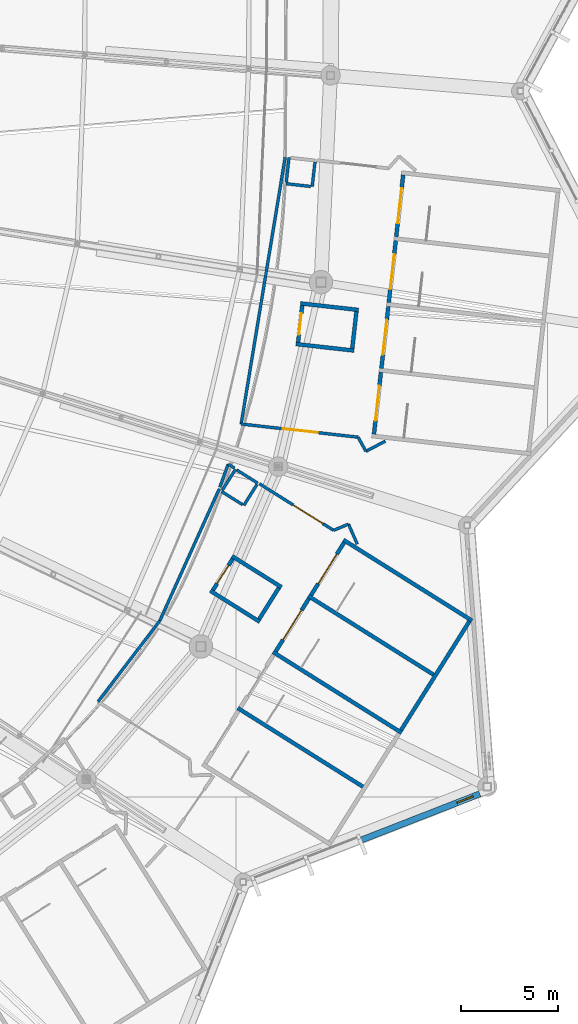
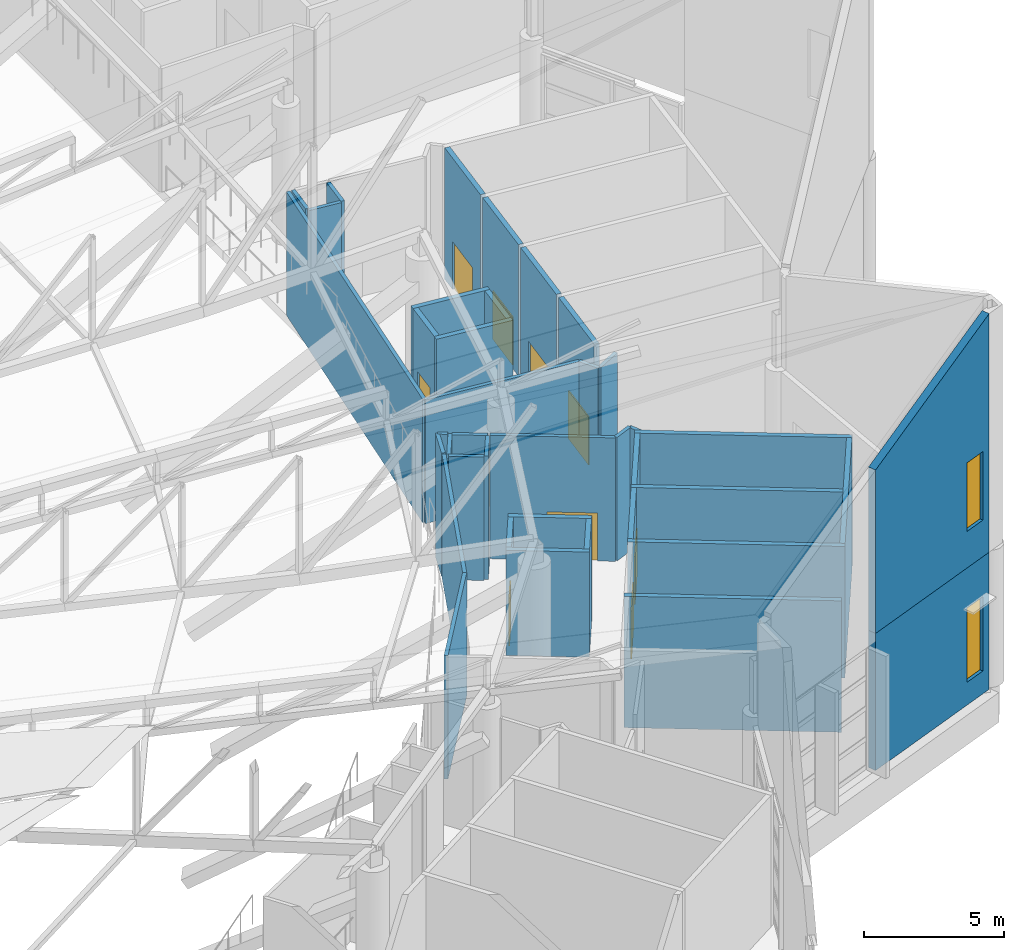
# One storey, part 256 of 344: 39 walls, 10 doors, 2 windows, 12 openings.
"""IFC4 building model written with IfcOpenShell, lengths in metres."""

from ifc_helpers import new_model, si_unit, direction, frame, frame_2d, origin, place, context, subcontext, project, spatial, polyline, rectangle, outline, extrude, material, layer, layer_set, type_object, element, fill, save


model = new_model("IFC4")

# Units and contexts
model_context = context("Model", 3, precision=1e-05, world=origin(), true_north=direction((0.0, 1.0)))
body_context = subcontext(model_context, "Body", "Model", "MODEL_VIEW")
ifc_project = project(units=[si_unit("LENGTHUNIT", "METRE"), si_unit("AREAUNIT", "SQUARE_METRE"), si_unit("VOLUMEUNIT", "CUBIC_METRE"), si_unit("PLANEANGLEUNIT", "RADIAN"), si_unit("MASSUNIT", "GRAM", prefix="KILO")], contexts=[model_context])

# Site, building, storey
site_placement = place(None, origin())
site = spatial("IfcSite", under=ifc_project, at=site_placement, CompositionType="ELEMENT")
building_placement = place(site_placement, origin())
building = spatial("IfcBuilding", under=site, at=building_placement, Name="Meseta Stadium", CompositionType="ELEMENT")
storey_placement = place(building_placement, frame((0.0, 0.0, 24.0)))
storey = spatial("IfcBuildingStorey", under=building, at=storey_placement, Name="L04", CompositionType="ELEMENT", Elevation=24.0)

# Walls
ifc_material_1 = material(Name="Concrete C40/50", Category="concrete")
ifc_layer_1 = layer(ifc_material_1, 0.199951171875)
ifc_layer_set_1 = layer_set([ifc_layer_1], Name="Core divider wall 200")
wall_type_1 = type_object("IfcWallType", Name="Core divider wall 200", PredefinedType="SHEAR", material=ifc_layer_set_1)
wall_1_placement = place(storey_placement, frame((86.696533203125, -79.5869140625, 0.0), z_axis=(0.0, 0.0, 1.0), x_axis=(-0.846713903605, 0.532048461553, 0.0)))
element("IfcWall", 1, at=wall_1_placement, inside=storey, type_object=wall_type_1, Name="Core 28 L04 stair A divider wall", PredefinedType="SHEAR", context=body_context, shape_type="SweptSolid", body=[
    extrude(rectangle(XDim=7.7998046875, YDim=0.199951171875, at=frame_2d((3.89990234375, 0.0))), origin(), (0.0, 0.0, 1.0), 5.75),
])
wall_2_placement = place(storey_placement, frame((90.314453125, -73.8291015625, 0.0), z_axis=(0.0, 0.0, 1.0), x_axis=(-0.846722763703, 0.532034361135, 0.0)))
element("IfcWall", 2, at=wall_2_placement, inside=storey, type_object=wall_type_1, Name="Core 28 L04 stair B divider wall", PredefinedType="SHEAR", context=body_context, shape_type="SweptSolid", body=[
    extrude(rectangle(XDim=7.800048828125, YDim=0.199951171875, at=frame_2d((3.89990234375, 0.0))), origin(), (0.0, 0.0, 1.0), 5.75),
])

# Wall, opening, door
ifc_material_2 = material(Name="Concrete C40/50", Category="concrete")
ifc_layer_2 = layer(ifc_material_2, 0.199951171875)
ifc_layer_set_2 = layer_set([ifc_layer_2], Name="Core shaft wall 200")
wall_type_2 = type_object("IfcWallType", Name="Core shaft wall 200", PredefinedType="SHEAR", material=ifc_layer_set_2)
wall_3_placement = place(storey_placement, frame((87.085205078125, -61.37158203125, 0.0), z_axis=(0.0, 0.0, 1.0), x_axis=(0.11192190762, 0.993717005286, 0.0)))
wall_3 = element("IfcWall", 3, at=wall_3_placement, inside=storey, type_object=wall_type_2, Name="Core 01 L04 stair A1 inner end wall", PredefinedType="SHEAR", context=body_context, shape_type="SweptSolid", body=[
    extrude(rectangle(XDim=3.199951171875, YDim=0.199951171875, at=frame_2d((1.60009765625, 0.0))), origin(), (0.0, 0.0, 1.0), 5.75),
])
opening_1_placement = place(wall_3_placement, frame((0.699951171875, 0.0, 0.0)))
opening_1 = element("IfcOpeningElement", 4, at=opening_1_placement, cuts=wall_3, Name="Opening D1653", PredefinedType="OPENING", context=body_context, shape_type="SweptSolid", body=[
    extrude(rectangle(XDim=1.800048828125, YDim=2.10009765625, at=frame_2d((0.89990234375, 1.050048828125))), frame((0.0, 0.10986328125, 0.0), z_axis=(0.0, -1.0, 0.0), x_axis=(1.0, 0.0, 0.0)), (0.0, 0.0, 1.0), 0.219970703125),
])
ifc_material_3 = material(Name="Steel", Category="steel")
door_type_1 = type_object("IfcDoorType", Name="Stair door 1800x2100", OperationType="DOUBLE_DOOR_SINGLE_SWING", PredefinedType="DOOR", material=ifc_material_3)
door_1_placement = place(opening_1_placement, origin())
door_1 = element("IfcDoor", 5, at=door_1_placement, inside=storey, type_object=door_type_1, Name="Stair A1 door 01 L04", OperationType="DOUBLE_DOOR_SINGLE_SWING", OverallHeight=2.10009765625, OverallWidth=1.800048828125, PredefinedType="DOOR", context=body_context, shape_type="SweptSolid", body=[
    extrude(rectangle(XDim=1.800048828125, YDim=2.10009765625, at=frame_2d((0.89990234375, 1.050048828125))), frame((0.0, 0.02490234375, 0.0), z_axis=(0.0, -1.0, 0.0), x_axis=(1.0, 0.0, 0.0)), (0.0, 0.0, 1.0), 0.050048828125),
])
fill(opening_1, door_1)

wall_4_placement = place(storey_placement, frame((87.4658203125, -57.992919921875, 0.0), z_axis=(0.0, 0.0, 1.0), x_axis=(0.111997244021, 0.993708517288, 0.0)))
wall_4 = element("IfcWall", 6, at=wall_4_placement, inside=storey, type_object=wall_type_2, Name="Core 01 L04 stair A2 inner end wall", PredefinedType="SHEAR", context=body_context, shape_type="SweptSolid", body=[
    extrude(rectangle(XDim=3.199951171875, YDim=0.199951171875, at=frame_2d((1.60009765625, 0.0))), origin(), (0.0, 0.0, 1.0), 5.75),
])
opening_2_placement = place(wall_4_placement, frame((0.699951171875, 0.0, 0.0)))
opening_2 = element("IfcOpeningElement", 7, at=opening_2_placement, cuts=wall_4, Name="Opening D1655", PredefinedType="OPENING", context=body_context, shape_type="SweptSolid", body=[
    extrude(rectangle(XDim=1.800048828125, YDim=2.10009765625, at=frame_2d((0.89990234375, 1.050048828125))), frame((0.0, 0.10986328125, 0.0), z_axis=(0.0, -1.0, 0.0), x_axis=(1.0, 0.0, 0.0)), (0.0, 0.0, 1.0), 0.219970703125),
])
door_2_placement = place(opening_2_placement, origin())
door_2 = element("IfcDoor", 8, at=door_2_placement, inside=storey, type_object=door_type_1, Name="Stair A2 door 01 L04", OperationType="DOUBLE_DOOR_SINGLE_SWING", OverallHeight=2.10009765625, OverallWidth=1.800048828125, PredefinedType="DOOR", context=body_context, shape_type="SweptSolid", body=[
    extrude(rectangle(XDim=1.800048828125, YDim=2.10009765625, at=frame_2d((0.89990234375, 1.050048828125))), frame((0.0, 0.02490234375, 0.0), z_axis=(0.0, -1.0, 0.0), x_axis=(1.0, 0.0, 0.0)), (0.0, 0.0, 1.0), 0.050048828125),
])
fill(opening_2, door_2)

wall_5_placement = place(storey_placement, frame((87.846435546875, -54.6142578125, 0.0), z_axis=(0.0, 0.0, 1.0), x_axis=(0.112005735442, 0.993707560215, 0.0)))
wall_5 = element("IfcWall", 9, at=wall_5_placement, inside=storey, type_object=wall_type_2, Name="Core 01 L04 stair B1 inner end wall", PredefinedType="SHEAR", context=body_context, shape_type="SweptSolid", body=[
    extrude(rectangle(XDim=3.19970703125, YDim=0.199951171875, at=frame_2d((1.599853515625, 0.0))), origin(), (0.0, 0.0, 1.0), 5.75),
])
opening_3_placement = place(wall_5_placement, frame((0.699951171875, 0.0, 0.0)))
opening_3 = element("IfcOpeningElement", 10, at=opening_3_placement, cuts=wall_5, Name="Opening D1657", PredefinedType="OPENING", context=body_context, shape_type="SweptSolid", body=[
    extrude(rectangle(XDim=1.800048828125, YDim=2.10009765625, at=frame_2d((0.89990234375, 1.050048828125))), frame((0.0, 0.10986328125, 0.0), z_axis=(0.0, -1.0, 0.0), x_axis=(1.0, 0.0, 0.0)), (0.0, 0.0, 1.0), 0.219970703125),
])
door_3_placement = place(opening_3_placement, origin())
door_3 = element("IfcDoor", 11, at=door_3_placement, inside=storey, type_object=door_type_1, Name="Stair B1 door 01 L04", OperationType="DOUBLE_DOOR_SINGLE_SWING", OverallHeight=2.10009765625, OverallWidth=1.800048828125, PredefinedType="DOOR", context=body_context, shape_type="SweptSolid", body=[
    extrude(rectangle(XDim=1.800048828125, YDim=2.10009765625, at=frame_2d((0.89990234375, 1.050048828125))), frame((0.0, 0.02490234375, 0.0), z_axis=(0.0, -1.0, 0.0), x_axis=(1.0, 0.0, 0.0)), (0.0, 0.0, 1.0), 0.050048828125),
])
fill(opening_3, door_3)

wall_6_placement = place(storey_placement, frame((88.227294921875, -51.235595703125, 0.0), z_axis=(0.0, 0.0, 1.0), x_axis=(0.111930393474, 0.993716049491, 0.0)))
wall_6 = element("IfcWall", 12, at=wall_6_placement, inside=storey, type_object=wall_type_2, Name="Core 01 L04 stair B2 inner end wall", PredefinedType="SHEAR", context=body_context, shape_type="SweptSolid", body=[
    extrude(rectangle(XDim=3.19970703125, YDim=0.199951171875, at=frame_2d((1.599853515625, 0.0))), origin(), (0.0, 0.0, 1.0), 5.75),
])
opening_4_placement = place(wall_6_placement, frame((0.699951171875, 0.0, 0.0)))
opening_4 = element("IfcOpeningElement", 13, at=opening_4_placement, cuts=wall_6, Name="Opening D1659", PredefinedType="OPENING", context=body_context, shape_type="SweptSolid", body=[
    extrude(rectangle(XDim=1.800048828125, YDim=2.10009765625, at=frame_2d((0.89990234375, 1.050048828125))), frame((0.0, 0.10986328125, 0.0), z_axis=(0.0, -1.0, 0.0), x_axis=(1.0, 0.0, 0.0)), (0.0, 0.0, 1.0), 0.219970703125),
])
door_4_placement = place(opening_4_placement, origin())
door_4 = element("IfcDoor", 14, at=door_4_placement, inside=storey, type_object=door_type_1, Name="Stair B2 door 01 L04", OperationType="DOUBLE_DOOR_SINGLE_SWING", OverallHeight=2.10009765625, OverallWidth=1.800048828125, PredefinedType="DOOR", context=body_context, shape_type="SweptSolid", body=[
    extrude(rectangle(XDim=1.800048828125, YDim=2.10009765625, at=frame_2d((0.89990234375, 1.050048828125))), frame((0.0, 0.02490234375, 0.0), z_axis=(0.0, -1.0, 0.0), x_axis=(1.0, 0.0, 0.0)), (0.0, 0.0, 1.0), 0.050048828125),
])
fill(opening_4, door_4)

# Walls
for number, where, z_axis, x_axis, name in (
    (15, (86.05908203125, -57.07958984375, 0.0), (0.0, 0.0, 1.0), (-0.993718878013, 0.111905279056, 0.0), "Core 01 L04 lift shaft wall left"),
    (16, (86.294189453125, -54.992919921875, 0.0), (0.0, 0.0, 1.0), (-0.993709824566, 0.111985644439, 0.0), "Core 01 L04 lift shaft wall right"),
):
    element("IfcWall", number, at=place(storey_placement, frame(where, z_axis=z_axis, x_axis=x_axis)), inside=storey, type_object=wall_type_2, Name=name, PredefinedType="SHEAR", context=body_context, shape_type="SweptSolid", body=[
        extrude(rectangle(XDim=2.999755859375, YDim=0.199951171875, at=frame_2d((1.5, 0.0))), origin(), (0.0, 0.0, 1.0), 4.60009765625),
    ])
wall_7_placement = place(storey_placement, frame((85.970947265625, -56.96923828125, 0.0), z_axis=(0.0, 0.0, 1.0), x_axis=(0.112039012324, 0.993703808847, 0.0)))
element("IfcWall", 17, at=wall_7_placement, inside=storey, type_object=wall_type_2, Name="Core 01 L04 lift shaft back wall", PredefinedType="SHEAR", context=body_context, shape_type="SweptSolid", body=[
    extrude(rectangle(XDim=1.900146484375, YDim=0.199951171875, at=frame_2d((0.9501953125, 0.0))), origin(), (0.0, 0.0, 1.0), 4.60009765625),
])

# Wall, opening, door
wall_8_placement = place(storey_placement, frame((83.188720703125, -56.65576171875, 0.0), z_axis=(0.0, 0.0, 1.0), x_axis=(0.11191213732, 0.993718105662, 0.0)))
wall_8 = element("IfcWall", 18, at=wall_8_placement, inside=storey, type_object=wall_type_2, Name="Core 01 L04 lift shaft front wall", PredefinedType="SHEAR", context=body_context, shape_type="SweptSolid", body=[
    extrude(rectangle(XDim=1.900146484375, YDim=0.199951171875, at=frame_2d((0.9501953125, 0.0))), origin(), (0.0, 0.0, 1.0), 4.60009765625),
])
opening_5_placement = place(wall_8_placement, frame((0.39990234375, 0.0, 0.0)))
opening_5 = element("IfcOpeningElement", 19, at=opening_5_placement, cuts=wall_8, Name="Opening LD6", PredefinedType="OPENING", context=body_context, shape_type="SweptSolid", body=[
    extrude(rectangle(XDim=1.10009765625, YDim=2.10009765625, at=frame_2d((0.550048828125, 1.050048828125))), frame((0.0, 0.10986328125, 0.0), z_axis=(0.0, -1.0, 0.0), x_axis=(1.0, 0.0, 0.0)), (0.0, 0.0, 1.0), 0.219970703125),
])
ifc_material_4 = material(Name="Steel", Category="steel")
door_type_2 = type_object("IfcDoorType", Name="Lift landing door 1100x2100", OperationType="SLIDING_TO_LEFT", PredefinedType="DOOR", material=ifc_material_4)
door_5_placement = place(opening_5_placement, origin())
door_5 = element("IfcDoor", 20, at=door_5_placement, inside=storey, type_object=door_type_2, Name="Lift landing door LD6", OperationType="SLIDING_TO_RIGHT", OverallHeight=2.10009765625, OverallWidth=1.10009765625, PredefinedType="DOOR", context=body_context, shape_type="SweptSolid", body=[
    extrude(rectangle(XDim=1.10009765625, YDim=2.10009765625, at=frame_2d((0.550048828125, 1.050048828125))), frame((0.0, 0.02490234375, 0.0), z_axis=(0.0, -1.0, 0.0), x_axis=(1.0, 0.0, 0.0)), (0.0, 0.0, 1.0), 0.050048828125),
])
fill(opening_5, door_5)

# Walls
for number, where, z_axis, x_axis, name in (
    (21, (88.505615234375, -76.7080078125, 0.0), (0.0, 0.0, 1.0), (-0.846722763703, 0.532034361135, 0.0), "Core 28 L04 stair wall shared"),
    (22, (92.123291015625, -70.9501953125, 0.0), (0.0, 0.0, 1.0), (-0.846722763703, 0.532034361135, 0.0), "Core 28 L04 stair wall B-side"),
):
    element("IfcWall", number, at=place(storey_placement, frame(where, z_axis=z_axis, x_axis=x_axis)), inside=storey, type_object=wall_type_2, Name=name, PredefinedType="SHEAR", context=body_context, shape_type="SweptSolid", body=[
        extrude(rectangle(XDim=7.800048828125, YDim=0.199951171875, at=frame_2d((3.89990234375, 0.0))), origin(), (0.0, 0.0, 1.0), 5.75),
    ])
wall_9_placement = place(storey_placement, frame((88.47412109375, -76.570068359375, 0.0), z_axis=(0.0, 0.0, 1.0), x_axis=(0.532038964807, 0.846719870989, 0.0)))
element("IfcWall", 23, at=wall_9_placement, inside=storey, type_object=wall_type_2, Name="Core 28 L04 stair B outer end wall", PredefinedType="SHEAR", context=body_context, shape_type="SweptSolid", body=[
    extrude(rectangle(XDim=6.60009765625, YDim=0.199951171875, at=frame_2d((3.300048828125, 0.0))), origin(), (0.0, 0.0, 1.0), 5.75),
])

# Wall, opening, door
wall_10_placement = place(storey_placement, frame((82.0390625, -72.526611328125, 0.0), z_axis=(0.0, 0.0, 1.0), x_axis=(0.532013720158, 0.846735733015, 0.0)))
wall_10 = element("IfcWall", 24, at=wall_10_placement, inside=storey, type_object=wall_type_2, Name="Core 28 L04 stair B1 inner end wall", PredefinedType="SHEAR", context=body_context, shape_type="SweptSolid", body=[
    extrude(rectangle(XDim=3.199951171875, YDim=0.199951171875, at=frame_2d((1.60009765625, 0.0))), origin(), (0.0, 0.0, 1.0), 5.75),
])
opening_6_placement = place(wall_10_placement, frame((0.699951171875, 0.0, 0.0)))
opening_6 = element("IfcOpeningElement", 25, at=opening_6_placement, cuts=wall_10, Name="Opening D1636", PredefinedType="OPENING", context=body_context, shape_type="SweptSolid", body=[
    extrude(rectangle(XDim=1.800048828125, YDim=2.10009765625, at=frame_2d((0.89990234375, 1.050048828125))), frame((0.0, 0.10986328125, 0.0), z_axis=(0.0, -1.0, 0.0), x_axis=(1.0, 0.0, 0.0)), (0.0, 0.0, 1.0), 0.219970703125),
])
door_6_placement = place(opening_6_placement, origin())
door_6 = element("IfcDoor", 26, at=door_6_placement, inside=storey, type_object=door_type_1, Name="Stair B1 door 28 L04", OperationType="DOUBLE_DOOR_SINGLE_SWING", OverallHeight=2.10009765625, OverallWidth=1.800048828125, PredefinedType="DOOR", context=body_context, shape_type="SweptSolid", body=[
    extrude(rectangle(XDim=1.800048828125, YDim=2.10009765625, at=frame_2d((0.89990234375, 1.050048828125))), frame((0.0, 0.02490234375, 0.0), z_axis=(0.0, -1.0, 0.0), x_axis=(1.0, 0.0, 0.0)), (0.0, 0.0, 1.0), 0.050048828125),
])
fill(opening_6, door_6)

wall_11_placement = place(storey_placement, frame((83.847900390625, -69.647705078125, 0.0), z_axis=(0.0, 0.0, 1.0), x_axis=(0.532013720158, 0.846735733015, 0.0)))
wall_11 = element("IfcWall", 27, at=wall_11_placement, inside=storey, type_object=wall_type_2, Name="Core 28 L04 stair B2 inner end wall", PredefinedType="SHEAR", context=body_context, shape_type="SweptSolid", body=[
    extrude(rectangle(XDim=3.199951171875, YDim=0.199951171875, at=frame_2d((1.60009765625, 0.0))), origin(), (0.0, 0.0, 1.0), 5.75),
])
opening_7_placement = place(wall_11_placement, frame((0.699951171875, 0.0, 0.0)))
opening_7 = element("IfcOpeningElement", 28, at=opening_7_placement, cuts=wall_11, Name="Opening D1640", PredefinedType="OPENING", context=body_context, shape_type="SweptSolid", body=[
    extrude(rectangle(XDim=1.800048828125, YDim=2.10009765625, at=frame_2d((0.89990234375, 1.050048828125))), frame((0.0, 0.10986328125, 0.0), z_axis=(0.0, -1.0, 0.0), x_axis=(1.0, 0.0, 0.0)), (0.0, 0.0, 1.0), 0.219970703125),
])
door_7_placement = place(opening_7_placement, origin())
door_7 = element("IfcDoor", 29, at=door_7_placement, inside=storey, type_object=door_type_1, Name="Stair B2 door 28 L04", OperationType="DOUBLE_DOOR_SINGLE_SWING", OverallHeight=2.10009765625, OverallWidth=1.800048828125, PredefinedType="DOOR", context=body_context, shape_type="SweptSolid", body=[
    extrude(rectangle(XDim=1.800048828125, YDim=2.10009765625, at=frame_2d((0.89990234375, 1.050048828125))), frame((0.0, 0.02490234375, 0.0), z_axis=(0.0, -1.0, 0.0), x_axis=(1.0, 0.0, 0.0)), (0.0, 0.0, 1.0), 0.050048828125),
])
fill(opening_7, door_7)

# Walls
for number, where, z_axis, x_axis, name in (
    (30, (81.22119140625, -71.0087890625, 0.0), (0.0, 0.0, 1.0), (-0.846757002027, 0.531979867588, 0.0), "Core 28 L04 lift shaft wall left"),
    (31, (82.33837890625, -69.230712890625, 0.0), (0.0, 0.0, 1.0), (-0.846757002027, 0.531979867588, 0.0), "Core 28 L04 lift shaft wall right"),
):
    element("IfcWall", number, at=place(storey_placement, frame(where, z_axis=z_axis, x_axis=x_axis)), inside=storey, type_object=wall_type_2, Name=name, PredefinedType="SHEAR", context=body_context, shape_type="SweptSolid", body=[
        extrude(rectangle(XDim=3.0, YDim=0.199951171875, at=frame_2d((1.5, 0.0))), origin(), (0.0, 0.0, 1.0), 4.60009765625),
    ])
wall_12_placement = place(storey_placement, frame((81.189697265625, -70.87109375, 0.0), z_axis=(0.0, 0.0, 1.0), x_axis=(0.531961007765, 0.846768850524, 0.0)))
element("IfcWall", 32, at=wall_12_placement, inside=storey, type_object=wall_type_2, Name="Core 28 L04 lift shaft back wall", PredefinedType="SHEAR", context=body_context, shape_type="SweptSolid", body=[
    extrude(rectangle(XDim=1.900146484375, YDim=0.199951171875, at=frame_2d((0.9501953125, 0.0))), origin(), (0.0, 0.0, 1.0), 4.60009765625),
])

# Wall, opening, door
wall_13_placement = place(storey_placement, frame((78.81884765625, -69.38134765625, 0.0), z_axis=(0.0, 0.0, 1.0), x_axis=(0.532018892235, 0.846732483318, 0.0)))
wall_13 = element("IfcWall", 33, at=wall_13_placement, inside=storey, type_object=wall_type_2, Name="Core 28 L04 lift shaft front wall", PredefinedType="SHEAR", context=body_context, shape_type="SweptSolid", body=[
    extrude(rectangle(XDim=1.89990234375, YDim=0.199951171875, at=frame_2d((0.949951171875, 0.0))), origin(), (0.0, 0.0, 1.0), 4.60009765625),
])
opening_8_placement = place(wall_13_placement, frame((0.39990234375, 0.0, 0.0)))
opening_8 = element("IfcOpeningElement", 34, at=opening_8_placement, cuts=wall_13, Name="Opening LD156", PredefinedType="OPENING", context=body_context, shape_type="SweptSolid", body=[
    extrude(rectangle(XDim=1.10009765625, YDim=2.10009765625, at=frame_2d((0.550048828125, 1.050048828125))), frame((0.0, 0.10986328125, 0.0), z_axis=(0.0, -1.0, 0.0), x_axis=(1.0, 0.0, 0.0)), (0.0, 0.0, 1.0), 0.219970703125),
])
door_8_placement = place(opening_8_placement, origin())
door_8 = element("IfcDoor", 35, at=door_8_placement, inside=storey, type_object=door_type_2, Name="Lift landing door LD156", OperationType="SLIDING_TO_RIGHT", OverallHeight=2.10009765625, OverallWidth=1.10009765625, PredefinedType="DOOR", context=body_context, shape_type="SweptSolid", body=[
    extrude(rectangle(XDim=1.10009765625, YDim=2.10009765625, at=frame_2d((0.550048828125, 1.050048828125))), frame((0.0, 0.02490234375, 0.0), z_axis=(0.0, -1.0, 0.0), x_axis=(1.0, 0.0, 0.0)), (0.0, 0.0, 1.0), 0.050048828125),
])
fill(opening_8, door_8)

# Walls
ifc_material_5 = material(Name="Masonry blockwork", Category="masonry")
ifc_layer_3 = layer(ifc_material_5, 0.14990234375)
ifc_layer_set_3 = layer_set([ifc_layer_3], Name="Partition 150")
wall_type_3 = type_object("IfcWallType", Name="Partition 150", PredefinedType="PARTITIONING", material=ifc_layer_set_3)
wall_14_placement = place(storey_placement, frame((83.913330078125, -48.66162109375, 0.0), z_axis=(0.0, 0.0, 1.0), x_axis=(0.111818407645, 0.993728656984, 0.0)))
element("IfcWall", 36, at=wall_14_placement, inside=storey, type_object=wall_type_3, Name="Pressurisation shaft wall L04 core 01", PredefinedType="PARTITIONING", context=body_context, shape_type="SweptSolid", body=[
    extrude(rectangle(XDim=1.275146484375, YDim=0.14990234375, at=frame_2d((0.6376953125, 0.0))), origin(), (0.0, 0.0, 1.0), 5.39990234375),
])
for number, where, z_axis, x_axis, name in (
    (37, (82.722900390625, -47.1689453125, 0.0), (0.0, 0.0, 1.0), (-0.112028792108, -0.993704961112, 0.0), "Pressurisation shaft wall L04 core 01"),
    (38, (82.57177734375, -48.510498046875, 0.0), (0.0, 0.0, 1.0), (0.993726262285, -0.111839687257, 0.0), "Pressurisation shaft wall L04 core 01"),
):
    element("IfcWall", number, at=place(storey_placement, frame(where, z_axis=z_axis, x_axis=x_axis)), inside=storey, type_object=wall_type_3, Name=name, PredefinedType="PARTITIONING", context=body_context, shape_type="SweptSolid", body=[
        extrude(rectangle(XDim=1.27490234375, YDim=0.14990234375, at=frame_2d((0.637451171875, 0.0))), origin(), (0.0, 0.0, 1.0), 5.39990234375),
    ])
wall_15_placement = place(storey_placement, frame((82.52490234375, -47.157958984375, 0.0), z_axis=(0.0, 0.0, 1.0), x_axis=(-0.162929544728, -0.986637706281, 0.0)))
element("IfcWall", 39, at=wall_15_placement, inside=storey, type_object=wall_type_3, Name="Stair vestibule wall L04 core 01", PredefinedType="PARTITIONING", context=body_context, shape_type="SweptSolid", body=[
    extrude(rectangle(XDim=13.877197265625, YDim=0.14990234375, at=frame_2d((6.9384765625, 0.0))), origin(), (0.0, 0.0, 1.0), 5.39990234375),
])

# Wall, opening, door
wall_16_placement = place(storey_placement, frame((80.263916015625, -60.849609375, 0.0), z_axis=(0.0, 0.0, 1.0), x_axis=(0.993711169243, -0.111973711744, 0.0)))
wall_16 = element("IfcWall", 40, at=wall_16_placement, inside=storey, type_object=wall_type_3, Name="Stair vestibule wall L04 core 01", PredefinedType="PARTITIONING", context=body_context, shape_type="SweptSolid", body=[
    extrude(rectangle(XDim=6.046142578125, YDim=0.14990234375, at=frame_2d((3.02294921875, 0.0))), origin(), (0.0, 0.0, 1.0), 5.39990234375),
])
opening_9_placement = place(wall_16_placement, frame((2.14990234375, 0.0, 0.0)))
opening_9 = element("IfcOpeningElement", 41, at=opening_9_placement, cuts=wall_16, Name="Opening D1637", PredefinedType="OPENING", context=body_context, shape_type="SweptSolid", body=[
    extrude(rectangle(XDim=1.800048828125, YDim=2.10009765625, at=frame_2d((0.89990234375, 1.050048828125))), frame((0.0, 0.0849609375, 0.0), z_axis=(0.0, -1.0, 0.0), x_axis=(1.0, 0.0, 0.0)), (0.0, 0.0, 1.0), 0.169921875),
])
ifc_material_6 = material(Name="Steel", Category="steel")
door_type_3 = type_object("IfcDoorType", Name="Fire double door 1800x2100 EI2 60", OperationType="DOUBLE_DOOR_SINGLE_SWING", PredefinedType="DOOR", material=ifc_material_6)
door_9_placement = place(opening_9_placement, origin())
door_9 = element("IfcDoor", 42, at=door_9_placement, inside=storey, type_object=door_type_3, Name="Stair vestibule door L04 core 01", OperationType="DOUBLE_DOOR_SINGLE_SWING", OverallHeight=2.10009765625, OverallWidth=1.800048828125, PredefinedType="DOOR", context=body_context, shape_type="SweptSolid", body=[
    extrude(rectangle(XDim=1.800048828125, YDim=2.10009765625, at=frame_2d((0.89990234375, 1.050048828125))), frame((0.0, 0.02490234375, 0.0), z_axis=(0.0, -1.0, 0.0), x_axis=(1.0, 0.0, 0.0)), (0.0, 0.0, 1.0), 0.050048828125),
])
fill(opening_9, door_9)

# Walls
wall_17_placement = place(storey_placement, frame((86.27197265625, -61.526611328125, 0.0), z_axis=(0.0, 0.0, 1.0), x_axis=(0.480336186773, -0.877084458691, 0.0)))
element("IfcWall", 43, at=wall_17_placement, inside=storey, type_object=wall_type_3, Name="Stair vestibule wall L04 core 01", PredefinedType="PARTITIONING", context=body_context, shape_type="SweptSolid", body=[
    extrude(rectangle(XDim=0.82958984375, YDim=0.14990234375, at=frame_2d((0.414794921875, 0.0))), origin(), (0.0, 0.0, 1.0), 5.39990234375),
])
wall_18_placement = place(storey_placement, frame((86.67041015625, -62.254150390625, 0.0), z_axis=(0.0, 0.0, 1.0), x_axis=(0.884880656279, 0.465817801446, 0.0)))
element("IfcWall", 44, at=wall_18_placement, inside=storey, type_object=wall_type_3, Name="Stair vestibule wall L04 core 01", PredefinedType="PARTITIONING", context=body_context, shape_type="SweptSolid", body=[
    extrude(rectangle(XDim=1.1279296875, YDim=0.14990234375, at=frame_2d((0.56396484375, 0.0))), origin(), (0.0, 0.0, 1.0), 5.39990234375),
])
for number, where, z_axis, x_axis, name in (
    (45, (80.400634765625, -65.03125, 0.0), (0.0, 0.0, 1.0), (0.532097038765, 0.846683377265, 0.0), "Pressurisation shaft wall L04 core 28"),
    (46, (81.118896484375, -63.88818359375, 0.0), (0.0, 0.0, 1.0), (-0.846683377265, 0.532097038765, 0.0), "Pressurisation shaft wall L04 core 28"),
):
    element("IfcWall", number, at=place(storey_placement, frame(where, z_axis=z_axis, x_axis=x_axis)), inside=storey, type_object=wall_type_3, Name=name, PredefinedType="PARTITIONING", context=body_context, shape_type="SweptSolid", body=[
        extrude(rectangle(XDim=1.275146484375, YDim=0.14990234375, at=frame_2d((0.6376953125, 0.0))), origin(), (0.0, 0.0, 1.0), 5.39990234375),
    ])
for number, where, z_axis, x_axis, name in (
    (47, (79.975830078125, -63.169921875, 0.0), (0.0, 0.0, 1.0), (-0.531959757672, -0.846769635862, 0.0), "Pressurisation shaft wall L04 core 28"),
    (48, (79.257568359375, -64.31298828125, 0.0), (0.0, 0.0, 1.0), (0.846769635862, -0.531959757672, 0.0), "Pressurisation shaft wall L04 core 28"),
):
    element("IfcWall", number, at=place(storey_placement, frame(where, z_axis=z_axis, x_axis=x_axis)), inside=storey, type_object=wall_type_3, Name=name, PredefinedType="PARTITIONING", context=body_context, shape_type="SweptSolid", body=[
        extrude(rectangle(XDim=1.27490234375, YDim=0.14990234375, at=frame_2d((0.637451171875, 0.0))), origin(), (0.0, 0.0, 1.0), 5.39990234375),
    ])
wall_19_placement = place(storey_placement, frame((86.229248046875, -67.02294921875, 0.0), z_axis=(0.0, 0.0, 1.0), x_axis=(-0.400989201001, 0.916082780474, 0.0)))
element("IfcWall", 49, at=wall_19_placement, inside=storey, type_object=wall_type_3, Name="Stair vestibule wall L04 core 28", PredefinedType="PARTITIONING", context=body_context, shape_type="SweptSolid", body=[
    extrude(rectangle(XDim=1.127685546875, YDim=0.14990234375, at=frame_2d((0.56396484375, 0.0))), origin(), (0.0, 0.0, 1.0), 5.39990234375),
])
wall_20_placement = place(storey_placement, frame((85.777099609375, -65.989990234375, 0.0), z_axis=(0.0, 0.0, 1.0), x_axis=(-0.922623662396, -0.385701409885, 0.0)))
element("IfcWall", 50, at=wall_20_placement, inside=storey, type_object=wall_type_3, Name="Stair vestibule wall L04 core 28", PredefinedType="PARTITIONING", context=body_context, shape_type="SweptSolid", body=[
    extrude(rectangle(XDim=0.829833984375, YDim=0.14990234375, at=frame_2d((0.4150390625, 0.0))), origin(), (0.0, 0.0, 1.0), 5.39990234375),
])

# Wall, opening, door
wall_21_placement = place(storey_placement, frame((85.011474609375, -66.31005859375, 0.0), z_axis=(0.0, 0.0, 1.0), x_axis=(-0.846716787841, 0.532043871489, 0.0)))
wall_21 = element("IfcWall", 51, at=wall_21_placement, inside=storey, type_object=wall_type_3, Name="Stair vestibule wall L04 core 28", PredefinedType="PARTITIONING", context=body_context, shape_type="SweptSolid", body=[
    extrude(rectangle(XDim=4.50390625, YDim=0.14990234375, at=frame_2d((2.251953125, 0.0))), origin(), (0.0, 0.0, 1.0), 5.39990234375),
])
opening_10_placement = place(wall_21_placement, frame((0.64990234375, 0.0, 0.0)))
opening_10 = element("IfcOpeningElement", 52, at=opening_10_placement, cuts=wall_21, Name="Opening D1638", PredefinedType="OPENING", context=body_context, shape_type="SweptSolid", body=[
    extrude(rectangle(XDim=1.800048828125, YDim=2.10009765625, at=frame_2d((0.89990234375, 1.050048828125))), frame((0.0, 0.0849609375, 0.0), z_axis=(0.0, -1.0, 0.0), x_axis=(1.0, 0.0, 0.0)), (0.0, 0.0, 1.0), 0.169921875),
])
door_10_placement = place(opening_10_placement, origin())
door_10 = element("IfcDoor", 53, at=door_10_placement, inside=storey, type_object=door_type_3, Name="Stair vestibule door L04 core 28", OperationType="DOUBLE_DOOR_SINGLE_SWING", OverallHeight=2.10009765625, OverallWidth=1.800048828125, PredefinedType="DOOR", context=body_context, shape_type="SweptSolid", body=[
    extrude(rectangle(XDim=1.800048828125, YDim=2.10009765625, at=frame_2d((0.89990234375, 1.050048828125))), frame((0.0, 0.02490234375, 0.0), z_axis=(0.0, -1.0, 0.0), x_axis=(1.0, 0.0, 0.0)), (0.0, 0.0, 1.0), 0.050048828125),
])
fill(opening_10, door_10)

# Walls
wall_22_placement = place(storey_placement, frame((79.914794921875, -63.107421875, 0.0), z_axis=(0.0, 0.0, 1.0), x_axis=(-0.846628080833, 0.5321850174, 0.0)))
element("IfcWall", 54, at=wall_22_placement, inside=storey, type_object=wall_type_3, Name="Stair vestibule wall L04 core 28", PredefinedType="PARTITIONING", context=body_context, shape_type="SweptSolid", body=[
    extrude(rectangle(XDim=0.37109375, YDim=0.14990234375, at=frame_2d((0.185546875, 0.0))), origin(), (0.0, 0.0, 1.0), 5.39990234375),
])
wall_23_placement = place(storey_placement, frame((79.6005859375, -62.909912109375, 0.0), z_axis=(0.0, 0.0, 1.0), x_axis=(-0.341276475673, -0.939962960522, 0.0)))
element("IfcWall", 55, at=wall_23_placement, inside=storey, type_object=wall_type_3, Name="Stair vestibule wall L04 core 28", PredefinedType="PARTITIONING", context=body_context, shape_type="SweptSolid", body=[
    extrude(rectangle(XDim=1.260498046875, YDim=0.14990234375, at=frame_2d((0.63037109375, 0.0))), origin(), (0.0, 0.0, 1.0), 5.39990234375),
])
wall_24_placement = place(storey_placement, frame((79.144775390625, -64.17529296875, 0.0), z_axis=(0.0, 0.0, 1.0), x_axis=(-0.411198704288, -0.911545734229, 0.0)))
element("IfcWall", 56, at=wall_24_placement, inside=storey, type_object=wall_type_3, Name="Stair vestibule wall L04 core 28", PredefinedType="PARTITIONING", context=body_context, shape_type="SweptSolid", body=[
    extrude(rectangle(XDim=7.435302734375, YDim=0.14990234375, at=frame_2d((3.7177734375, 0.0))), origin(), (0.0, 0.0, 1.0), 5.39990234375),
])
wall_25_placement = place(storey_placement, frame((76.08740234375, -70.952880859375, 0.0), z_axis=(0.0, 0.0, 1.0), x_axis=(-0.606793573824, -0.794859458499, 0.0)))
element("IfcWall", 57, at=wall_25_placement, inside=storey, type_object=wall_type_3, Name="Stair vestibule wall L04 core 28", PredefinedType="PARTITIONING", context=body_context, shape_type="SweptSolid", body=[
    extrude(rectangle(XDim=5.23291015625, YDim=0.14990234375, at=frame_2d((2.616455078125, 0.0))), origin(), (0.0, 0.0, 1.0), 5.39990234375),
])

# Wall, opening, window
ifc_material_7 = material(Name="White precast concrete C40/50", Category="concrete")
ifc_layer_4 = layer(ifc_material_7, 0.320068359375)
ifc_layer_set_4 = layer_set([ifc_layer_4], Name="Pleated fascia panel 320 raked")
wall_type_4 = type_object("IfcWallType", Name="Pleated fascia panel 320 raked", PredefinedType="SOLIDWALL", material=ifc_layer_set_4)
wall_26_placement = place(storey_placement, frame((92.515625, -79.84228515625, 6.0), z_axis=(0.0, 0.0, 1.0), x_axis=(-0.931670160298, -0.363305260642, 0.0)))
wall_26 = element("IfcWall", 58, at=wall_26_placement, inside=storey, type_object=wall_type_4, Name="Pleated fascia panel L04 F53", PredefinedType="SOLIDWALL", context=body_context, shape_type="SweptSolid", body=[
    extrude(outline(polyline([(0.0, 0.0), (6.513671875, 0.0), (6.513671875, 7.147705078125), (0.0, 10.437744140625), (0.0, 0.0)])), frame((0.0, 0.16015625, 0.0), z_axis=(0.0, -1.0, 0.0), x_axis=(1.0, 0.0, 0.0)), (0.0, 0.0, 1.0), 0.320068359375),
])
opening_11_placement = place(wall_26_placement, frame((0.36328125, 0.0, 1.60009765625)))
opening_11 = element("IfcOpeningElement", 59, at=opening_11_placement, cuts=wall_26, Name="Opening W298", PredefinedType="OPENING", context=body_context, shape_type="SweptSolid", body=[
    extrude(rectangle(XDim=0.89990234375, YDim=3.0, at=frame_2d((0.449951171875, 1.5))), frame((0.0, 0.169921875, 0.0), z_axis=(0.0, -1.0, 0.0), x_axis=(1.0, 0.0, 0.0)), (0.0, 0.0, 1.0), 0.340087890625),
])
ifc_material_8 = material(Name="Aluminium", Category="aluminium")
window_type_1 = type_object("IfcWindowType", Name="Slot window 900x3000", PartitioningType="SINGLE_PANEL", PredefinedType="WINDOW", material=ifc_material_8)
window_1_placement = place(opening_11_placement, origin())
window_1 = element("IfcWindow", 60, at=window_1_placement, inside=storey, type_object=window_type_1, Name="Slot window L04 F53.6", OverallHeight=3.0, OverallWidth=0.89990234375, PartitioningType="SINGLE_PANEL", PredefinedType="WINDOW", context=body_context, shape_type="SweptSolid", body=[
    extrude(rectangle(XDim=0.89990234375, YDim=3.0, at=frame_2d((0.449951171875, 1.5))), frame((0.0, 0.030029296875, 0.0), z_axis=(0.0, -1.0, 0.0), x_axis=(1.0, 0.0, 0.0)), (0.0, 0.0, 1.0), 0.06005859375),
])
fill(opening_11, window_1)

ifc_material_9 = material(Name="White precast concrete C40/50", Category="concrete")
ifc_layer_5 = layer(ifc_material_9, 0.320068359375)
ifc_layer_set_5 = layer_set([ifc_layer_5], Name="Pleated panel wall 320")
wall_type_5 = type_object("IfcWallType", Name="Pleated panel wall 320", PredefinedType="SOLIDWALL", material=ifc_layer_set_5)
wall_27_placement = place(storey_placement, frame((92.515625, -79.84228515625, 0.0), z_axis=(0.0, 0.0, 1.0), x_axis=(-0.931670160298, -0.363305260642, 0.0)))
wall_27 = element("IfcWall", 61, at=wall_27_placement, inside=storey, type_object=wall_type_5, Name="Pleated facade panel L04 F53", PredefinedType="SOLIDWALL", context=body_context, shape_type="SweptSolid", body=[
    extrude(rectangle(XDim=6.513671875, YDim=0.320068359375, at=frame_2d((3.2568359375, 0.0))), origin(), (0.0, 0.0, 1.0), 6.0),
])
opening_12_placement = place(wall_27_placement, frame((0.36328125, 0.0, 1.0)))
opening_12 = element("IfcOpeningElement", 62, at=opening_12_placement, cuts=wall_27, Name="Opening W297", PredefinedType="OPENING", context=body_context, shape_type="SweptSolid", body=[
    extrude(rectangle(XDim=0.89990234375, YDim=3.25, at=frame_2d((0.449951171875, 1.625))), frame((0.0, 0.169921875, 0.0), z_axis=(0.0, -1.0, 0.0), x_axis=(1.0, 0.0, 0.0)), (0.0, 0.0, 1.0), 0.340087890625),
])
ifc_material_10 = material(Name="Aluminium", Category="aluminium")
window_type_2 = type_object("IfcWindowType", Name="Slot window 900x3250", PartitioningType="SINGLE_PANEL", PredefinedType="WINDOW", material=ifc_material_10)
window_2_placement = place(opening_12_placement, origin())
window_2 = element("IfcWindow", 63, at=window_2_placement, inside=storey, type_object=window_type_2, Name="Slot window L04 F53.6", OverallHeight=3.25, OverallWidth=0.89990234375, PartitioningType="SINGLE_PANEL", PredefinedType="WINDOW", context=body_context, shape_type="SweptSolid", body=[
    extrude(rectangle(XDim=0.89990234375, YDim=3.25, at=frame_2d((0.449951171875, 1.625))), frame((0.0, 0.030029296875, 0.0), z_axis=(0.0, -1.0, 0.0), x_axis=(1.0, 0.0, 0.0)), (0.0, 0.0, 1.0), 0.06005859375),
])
fill(opening_12, window_2)

save(model, "model.ifc")
